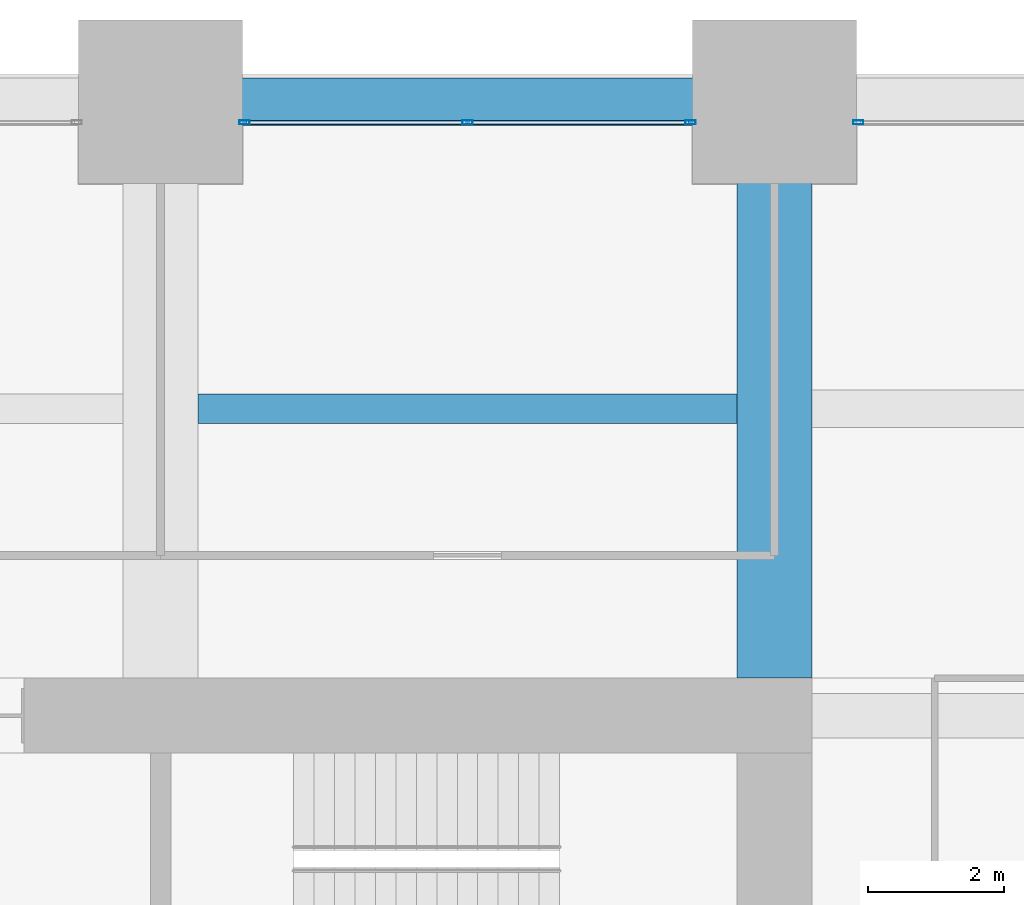
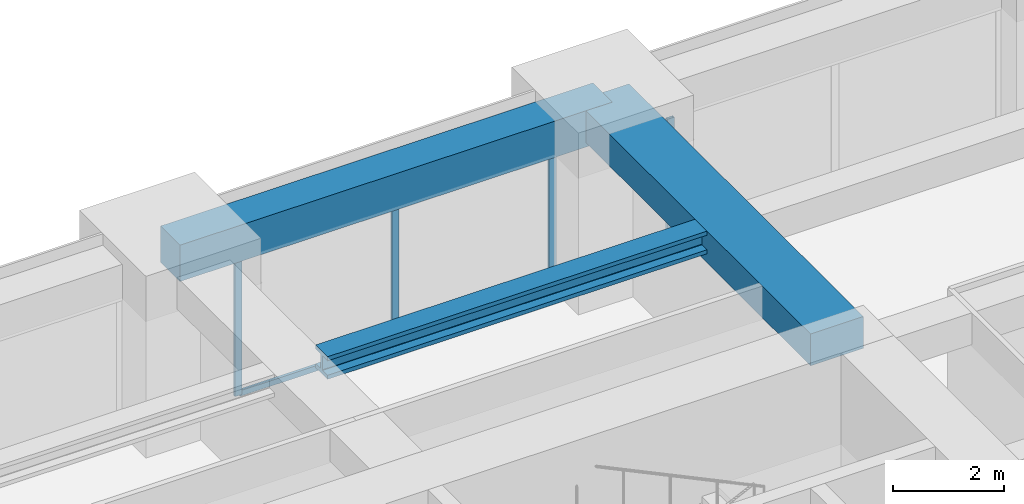
# One storey, part 30 of 39: 5 members, 3 beams, 2 elements without a shape of their own.
"""IFC4 building model written with IfcOpenShell, lengths in metres."""

from ifc_helpers import new_model, si_unit, direction, frame, origin, origin_2d, place, context, subcontext, project, spatial, rectangle, hollow_rectangle, i_section, extrude, material, material_profile, profile_set, type_object, element, aggregate, save


model = new_model("IFC4")

# Units and contexts
model_context = context("Model", 3, precision=1e-05, world=origin(), true_north=direction((0.0, 1.0)))
body_context = subcontext(model_context, "Body", "Model", "MODEL_VIEW")
ifc_project = project(units=[si_unit("LENGTHUNIT", "METRE"), si_unit("AREAUNIT", "SQUARE_METRE"), si_unit("VOLUMEUNIT", "CUBIC_METRE"), si_unit("PLANEANGLEUNIT", "RADIAN"), si_unit("MASSUNIT", "GRAM", prefix="KILO")], contexts=[model_context])

# Site, building, storey
site_placement = place(None, origin())
site = spatial("IfcSite", under=ifc_project, at=site_placement, CompositionType="ELEMENT")
building_placement = place(site_placement, origin())
building = spatial("IfcBuilding", under=site, at=building_placement, Name="Zorevar Civic Tower", CompositionType="ELEMENT")
storey_placement = place(building_placement, frame((0.0, 0.0, 117.0)))
storey = spatial("IfcBuildingStorey", under=building, at=storey_placement, Name="L28", CompositionType="ELEMENT", Elevation=117.0)

# Beam
ifc_material_1 = material(Name="Concrete C50/60", Category="concrete")
ifc_material_profile_1 = material_profile(ifc_material_1, rectangle(XDim=1.10009765625, YDim=0.699951171875, at=origin_2d()), Name="RC 1100x700")
ifc_profile_set_1 = profile_set([ifc_material_profile_1], Name="Concrete C50/60")
beam_type_1 = type_object("IfcBeamType", Name="Beam RC 1100x700", PredefinedType="BEAM", material=ifc_profile_set_1)
beam_1_placement = place(storey_placement, frame((45.0, 36.550048828125, 3.39990234375), z_axis=(0.0, 1.0, 0.0), x_axis=(-1.0, 0.0, 0.0)))
element("IfcBeam", 1, at=beam_1_placement, inside=storey, type_object=beam_type_1, Name="Girder L29", PredefinedType="BEAM", context=body_context, shape_type="SweptSolid", body=[
    extrude(rectangle(XDim=1.10009765625, YDim=0.699951171875, at=origin_2d()), origin(), (0.0, 0.0, 1.0), 8.449951171875),
])

# Curtain wall, members
ifc_material_2 = material(Name="Dark grey solar-control glass in black aluminium frame", Category="aluminium")
curtain_wall_type = type_object("IfcCurtainWallType", Name="Curtain wall CW3 mid zone", PredefinedType="NOTDEFINED", material=ifc_material_2)
curtain_wall_1_placement = place(storey_placement, origin())
curtain_wall_1 = element("IfcCurtainWall", 2, at=curtain_wall_1_placement, inside=storey, type_object=curtain_wall_type, Name="CW3 L28", PredefinedType="NOTDEFINED")
ifc_material_3 = material(Name="Aluminium, black anodised", Category="aluminium")
ifc_material_profile_2 = material_profile(ifc_material_3, hollow_rectangle(XDim=0.06005859375, YDim=0.14990234375, WallThickness=0.00390625, at=origin_2d()), Name="AL 150x60x4")
ifc_profile_set_2 = profile_set([ifc_material_profile_2], Name="Aluminium, black anodised")
member_type_1 = type_object("IfcMemberType", Name="CW3 mullion AL 150x60x4", PredefinedType="MULLION", material=ifc_profile_set_2)
member_1_placement = place(storey_placement, frame((37.22998046875, 44.699951171875, 0.0), z_axis=(0.0, 0.0, 1.0), x_axis=(0.0, 1.0, 0.0)))
member_1 = element("IfcMember", 3, at=member_1_placement, type_object=member_type_1, Name="CW3 mullion 1", PredefinedType="MULLION", context=body_context, shape_type="SweptSolid", body=[
    extrude(hollow_rectangle(XDim=0.06005859375, YDim=0.14990234375, WallThickness=0.00390625, at=origin_2d()), origin(), (0.0, 0.0, 1.0), 2.949951171875),
])
member_2_placement = place(storey_placement, frame((40.5, 44.699951171875, 0.06005859375), z_axis=(0.0, 0.0, 1.0), x_axis=(0.0, 1.0, 0.0)))
member_2 = element("IfcMember", 4, at=member_2_placement, type_object=member_type_1, Name="CW3 mullion 2", PredefinedType="MULLION", context=body_context, shape_type="SweptSolid", body=[
    extrude(hollow_rectangle(XDim=0.06005859375, YDim=0.14990234375, WallThickness=0.00390625, at=origin_2d()), origin(), (0.0, 0.0, 1.0), 2.889892578125),
])
member_3_placement = place(storey_placement, frame((43.77001953125, 44.699951171875, 0.0), z_axis=(0.0, 0.0, 1.0), x_axis=(0.0, 1.0, 0.0)))
member_3 = element("IfcMember", 5, at=member_3_placement, type_object=member_type_1, Name="CW3 mullion 3", PredefinedType="MULLION", context=body_context, shape_type="SweptSolid", body=[
    extrude(hollow_rectangle(XDim=0.06005859375, YDim=0.14990234375, WallThickness=0.00390625, at=origin_2d()), origin(), (0.0, 0.0, 1.0), 2.949951171875),
])

# Curtain wall, member
curtain_wall_2_placement = place(storey_placement, origin())
curtain_wall_2 = element("IfcCurtainWall", 6, at=curtain_wall_2_placement, inside=storey, type_object=curtain_wall_type, Name="CW3 L28", PredefinedType="NOTDEFINED")
member_4_placement = place(storey_placement, frame((46.22998046875, 44.699951171875, 0.0), z_axis=(0.0, 0.0, 1.0), x_axis=(0.0, 1.0, 0.0)))
member_4 = element("IfcMember", 7, at=member_4_placement, type_object=member_type_1, Name="CW3 mullion 1", PredefinedType="MULLION", context=body_context, shape_type="SweptSolid", body=[
    extrude(hollow_rectangle(XDim=0.06005859375, YDim=0.14990234375, WallThickness=0.00390625, at=origin_2d()), origin(), (0.0, 0.0, 1.0), 2.949951171875),
])
aggregate(curtain_wall_2, [member_4])

# Member
ifc_material_4 = material(Name="Aluminium, black anodised", Category="aluminium")
ifc_material_profile_3 = material_profile(ifc_material_4, hollow_rectangle(XDim=0.06005859375, YDim=0.1201171875, WallThickness=0.0029296875, at=origin_2d()), Name="AL 120x60x3")
ifc_profile_set_3 = profile_set([ifc_material_profile_3], Name="Aluminium, black anodised")
member_type_2 = type_object("IfcMemberType", Name="CW3 transom AL 120x60x3", PredefinedType="USERDEFINED", material=ifc_profile_set_3)
member_5_placement = place(storey_placement, frame((37.260009765625, 44.699951171875, 0.030029296875), z_axis=(1.0, 0.0, 0.0), x_axis=(0.0, 1.0, 0.0)))
member_5 = element("IfcMember", 8, at=member_5_placement, type_object=member_type_2, Name="CW3 sill transom", ObjectType="TRANSOM", PredefinedType="USERDEFINED", context=body_context, shape_type="SweptSolid", body=[
    extrude(hollow_rectangle(XDim=0.06005859375, YDim=0.1201171875, WallThickness=0.0029296875, at=origin_2d()), origin(), (0.0, 0.0, 1.0), 6.47998046875),
])

aggregate(curtain_wall_1, [member_1, member_2, member_3, member_5])

# Beams
ifc_material_5 = material(Name="Steel S460M (HISTAR 460)", Category="steel")
ifc_material_profile_4 = material_profile(ifc_material_5, i_section(OverallWidth=0.431884765625, OverallDepth=0.498046875, WebThickness=0.0556640625, FlangeThickness=0.0888671875, FilletRadius=0.014892578125, at=origin_2d()), Name="HD 400x744")
ifc_profile_set_4 = profile_set([ifc_material_profile_4], Name="Steel S460M (HISTAR 460)")
beam_type_2 = type_object("IfcBeamType", Name="Core bay beam HD 400x744", PredefinedType="BEAM", material=ifc_profile_set_4)
beam_2_placement = place(storey_placement, frame((36.550048828125, 40.5, 3.5009765625), z_axis=(1.0, 0.0, 0.0), x_axis=(0.0, 1.0, 0.0)))
element("IfcBeam", 9, at=beam_2_placement, inside=storey, type_object=beam_type_2, Name="Secondary beam L29", PredefinedType="BEAM", context=body_context, shape_type="SweptSolid", body=[
    extrude(i_section(OverallWidth=0.431884765625, OverallDepth=0.498046875, WebThickness=0.0556640625, FlangeThickness=0.0888671875, FilletRadius=0.014892578125, at=origin_2d()), origin(), (0.0, 0.0, 1.0), 7.89990234375),
])
ifc_material_6 = material(Name="Concrete C50/60", Category="concrete")
ifc_material_profile_5 = material_profile(ifc_material_6, rectangle(XDim=0.699951171875, YDim=0.800048828125, at=origin_2d()), Name="RC 700x800")
ifc_profile_set_5 = profile_set([ifc_material_profile_5], Name="Concrete C50/60")
beam_type_3 = type_object("IfcBeamType", Name="Edge beam RC 700x800", PredefinedType="SPANDREL", material=ifc_profile_set_5)
beam_3_placement = place(storey_placement, frame((36.0, 45.0, 3.35009765625), z_axis=(1.0, 0.0, 0.0), x_axis=(0.0, 1.0, 0.0)))
element("IfcBeam", 10, at=beam_3_placement, inside=storey, type_object=beam_type_3, Name="Edge beam L29", PredefinedType="SPANDREL", context=body_context, shape_type="SweptSolid", body=[
    extrude(rectangle(XDim=0.699951171875, YDim=0.800048828125, at=origin_2d()), origin(), (0.0, 0.0, 1.0), 9.0),
])

save(model, "model.ifc")
